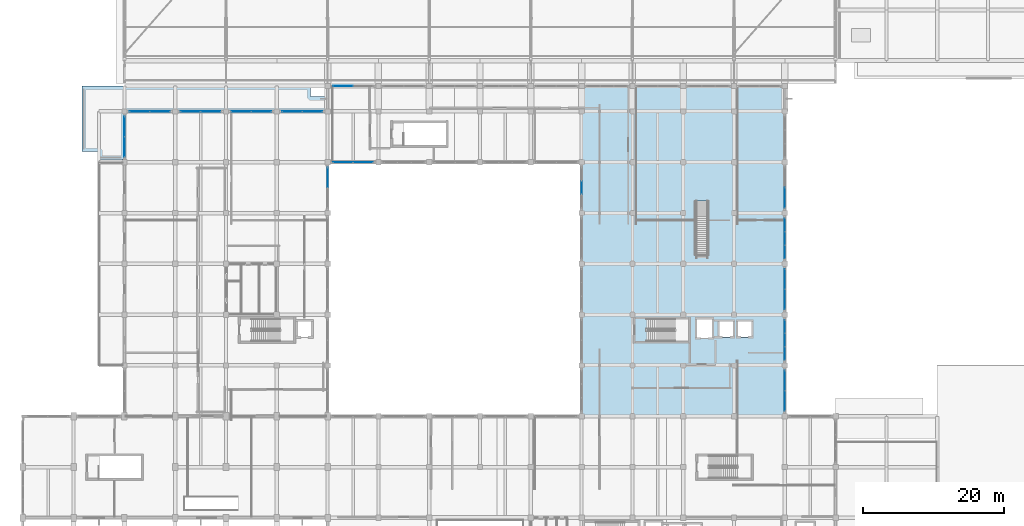
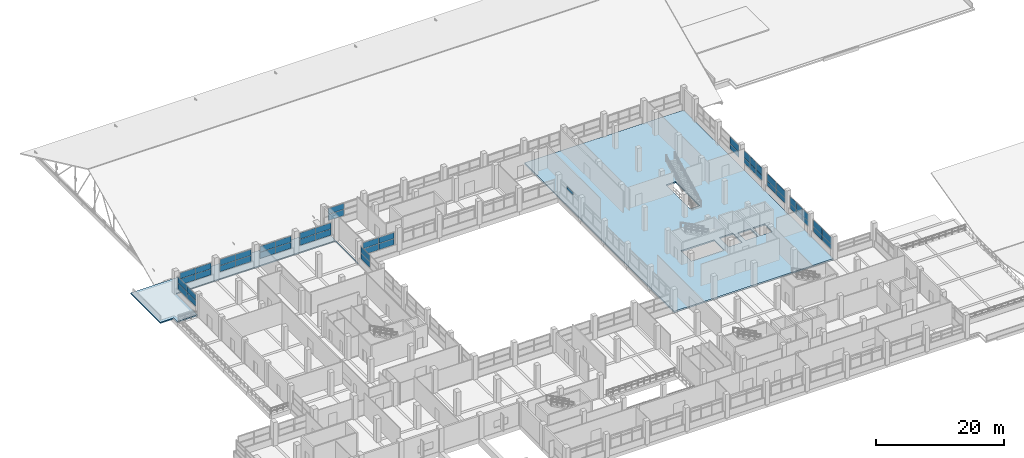
# One storey, part 115 of 141: 51 plates, 2 slabs, 14 elements without a shape of their own.
"""IFC4 building model written with IfcOpenShell, lengths in metres."""

from ifc_helpers import new_model, si_unit, direction, frame, origin, origin_2d, place, context, subcontext, project, spatial, polyline, rectangle, outline, extrude, material, layer, layer_set, type_object, element, aggregate, save


model = new_model("IFC4")

# Units and contexts
model_context = context("Model", 3, precision=1e-05, world=origin(), true_north=direction((0.0, 1.0)))
body_context = subcontext(model_context, "Body", "Model", "MODEL_VIEW")
ifc_project = project(units=[si_unit("LENGTHUNIT", "METRE"), si_unit("AREAUNIT", "SQUARE_METRE"), si_unit("VOLUMEUNIT", "CUBIC_METRE"), si_unit("PLANEANGLEUNIT", "RADIAN"), si_unit("MASSUNIT", "GRAM", prefix="KILO")], contexts=[model_context])

# Site, building, storey
site_placement = place(None, origin())
site = spatial("IfcSite", under=ifc_project, at=site_placement, CompositionType="ELEMENT")
building_placement = place(site_placement, origin())
building = spatial("IfcBuilding", under=site, at=building_placement, Name="Seraya Terrace Polytechnic", CompositionType="ELEMENT")
storey_placement = place(building_placement, frame((0.0, 0.0, 14.39990234375)))
storey = spatial("IfcBuildingStorey", under=building, at=storey_placement, Name="L03", CompositionType="ELEMENT", Elevation=14.39990234375)

# Curtain wall, plates
ifc_material_1 = material(Name="Anodised aluminium EN AW-6063 T6", Category="aluminium")
ifc_layer_1 = layer(ifc_material_1, 0.179931640625, Name="CW-07")
ifc_layer_set_1 = layer_set([ifc_layer_1], Name="Anodised aluminium EN AW-6063 T6")
curtain_wall_type_1 = type_object("IfcCurtainWallType", Name="CW-07", PredefinedType="NOTDEFINED", material=ifc_layer_set_1)
curtain_wall_1_placement = place(storey_placement, origin())
curtain_wall_1 = element("IfcCurtainWall", 1, at=curtain_wall_1_placement, inside=storey, type_object=curtain_wall_type_1, Name="Unitised curtain wall CW-07 (CW-L03-115)", PredefinedType="NOTDEFINED")
ifc_material_2 = material(Name="Laminated solar-control Low-E double glazing", Category="glass")
ifc_layer_2 = layer(ifc_material_2, 0.028076171875, Name="CWP-01")
ifc_layer_set_2 = layer_set([ifc_layer_2], Name="Laminated solar-control Low-E double glazing")
plate_type_1 = type_object("IfcPlateType", Name="CWP-01", PredefinedType="CURTAIN_PANEL", material=ifc_layer_set_2)
plate_1_placement = place(storey_placement, frame((23.7763671875, 72.0, 1.300048828125), z_axis=(0.0, 0.0, 1.0), x_axis=(1.0, 0.0, 0.0)))
plate_1 = element("IfcPlate", 2, at=plate_1_placement, type_object=plate_type_1, Name="CW-07 panel 1.1", PredefinedType="CURTAIN_PANEL", context=body_context, shape_type="SweptSolid", body=[
    extrude(rectangle(XDim=2.782470703125, YDim=0.028076171875, at=origin_2d()), origin(), (0.0, 0.0, 1.0), 1.1298828125),
])
plate_2_placement = place(storey_placement, frame((23.7763671875, 72.0, 2.490234375), z_axis=(0.0, 0.0, 1.0), x_axis=(1.0, 0.0, 0.0)))
plate_2 = element("IfcPlate", 3, at=plate_2_placement, type_object=plate_type_1, Name="CW-07 panel 1.2", PredefinedType="CURTAIN_PANEL", context=body_context, shape_type="SweptSolid", body=[
    extrude(rectangle(XDim=2.782470703125, YDim=0.028076171875, at=origin_2d()), origin(), (0.0, 0.0, 1.0), 1.1298828125),
])
plate_3_placement = place(storey_placement, frame((26.623779296875, 72.0, 1.300048828125), z_axis=(0.0, 0.0, 1.0), x_axis=(1.0, 0.0, 0.0)))
plate_3 = element("IfcPlate", 4, at=plate_3_placement, type_object=plate_type_1, Name="CW-07 panel 2.1", PredefinedType="CURTAIN_PANEL", context=body_context, shape_type="SweptSolid", body=[
    extrude(rectangle(XDim=2.782470703125, YDim=0.028076171875, at=origin_2d()), origin(), (0.0, 0.0, 1.0), 1.1298828125),
])
plate_4_placement = place(storey_placement, frame((26.623779296875, 72.0, 2.490234375), z_axis=(0.0, 0.0, 1.0), x_axis=(1.0, 0.0, 0.0)))
plate_4 = element("IfcPlate", 5, at=plate_4_placement, type_object=plate_type_1, Name="CW-07 panel 2.2", PredefinedType="CURTAIN_PANEL", context=body_context, shape_type="SweptSolid", body=[
    extrude(rectangle(XDim=2.782470703125, YDim=0.028076171875, at=origin_2d()), origin(), (0.0, 0.0, 1.0), 1.1298828125),
])
aggregate(curtain_wall_1, [plate_1, plate_2, plate_3, plate_4])

ifc_layer_3 = layer(ifc_material_1, 0.179931640625, Name="CW-10")
ifc_layer_set_3 = layer_set([ifc_layer_3], Name="Anodised aluminium EN AW-6063 T6")
curtain_wall_type_2 = type_object("IfcCurtainWallType", Name="CW-10", PredefinedType="NOTDEFINED", material=ifc_layer_set_3)
curtain_wall_2_placement = place(storey_placement, origin())
curtain_wall_2 = element("IfcCurtainWall", 6, at=curtain_wall_2_placement, inside=storey, type_object=curtain_wall_type_2, Name="Unitised curtain wall CW-10 (CW-L03-118)", PredefinedType="NOTDEFINED")
plate_5_placement = place(storey_placement, frame((45.376220703125, 75.60009765625, 1.300048828125), z_axis=(0.0, 0.0, 1.0), x_axis=(1.0, 0.0, 0.0)))
plate_5 = element("IfcPlate", 7, at=plate_5_placement, type_object=plate_type_1, Name="CW-10 panel 1.1", PredefinedType="CURTAIN_PANEL", context=body_context, shape_type="SweptSolid", body=[
    extrude(rectangle(XDim=2.782470703125, YDim=0.028076171875, at=origin_2d()), origin(), (0.0, 0.0, 1.0), 1.1298828125),
])
plate_6_placement = place(storey_placement, frame((45.376220703125, 75.60009765625, 2.490234375), z_axis=(0.0, 0.0, 1.0), x_axis=(1.0, 0.0, 0.0)))
plate_6 = element("IfcPlate", 8, at=plate_6_placement, type_object=plate_type_1, Name="CW-10 panel 1.2", PredefinedType="CURTAIN_PANEL", context=body_context, shape_type="SweptSolid", body=[
    extrude(rectangle(XDim=2.782470703125, YDim=0.028076171875, at=origin_2d()), origin(), (0.0, 0.0, 1.0), 1.1298828125),
])
aggregate(curtain_wall_2, [plate_5, plate_6])

ifc_layer_4 = layer(ifc_material_1, 0.179931640625, Name="CW-22")
ifc_layer_set_4 = layer_set([ifc_layer_4], Name="Anodised aluminium EN AW-6063 T6")
curtain_wall_type_3 = type_object("IfcCurtainWallType", Name="CW-22", PredefinedType="NOTDEFINED", material=ifc_layer_set_4)
curtain_wall_3_placement = place(storey_placement, origin())
curtain_wall_3 = element("IfcCurtainWall", 9, at=curtain_wall_3_placement, inside=storey, type_object=curtain_wall_type_3, Name="Unitised curtain wall CW-22 (CW-L03-130)", PredefinedType="NOTDEFINED")
plate_7_placement = place(storey_placement, frame((108.0, 48.2236328125, 1.30029296875), z_axis=(0.0, 0.0, 1.0), x_axis=(0.0, -1.0, 0.0)))
plate_7 = element("IfcPlate", 10, at=plate_7_placement, type_object=plate_type_1, Name="CW-22 panel 1.1", PredefinedType="CURTAIN_PANEL", context=body_context, shape_type="SweptSolid", body=[
    extrude(rectangle(XDim=2.782470703125, YDim=0.028076171875, at=origin_2d()), origin(), (0.0, 0.0, 1.0), 0.943115234375),
])
plate_8_placement = place(storey_placement, frame((108.0, 48.2236328125, 2.30322265625), z_axis=(0.0, 0.0, 1.0), x_axis=(0.0, -1.0, 0.0)))
plate_8 = element("IfcPlate", 11, at=plate_8_placement, type_object=plate_type_1, Name="CW-22 panel 1.2", PredefinedType="CURTAIN_PANEL", context=body_context, shape_type="SweptSolid", body=[
    extrude(rectangle(XDim=2.782470703125, YDim=0.028076171875, at=origin_2d()), origin(), (0.0, 0.0, 1.0), 1.3369140625),
])
plate_9_placement = place(storey_placement, frame((108.0, 45.376220703125, 1.30029296875), z_axis=(0.0, 0.0, 1.0), x_axis=(0.0, -1.0, 0.0)))
plate_9 = element("IfcPlate", 12, at=plate_9_placement, type_object=plate_type_1, Name="CW-22 panel 2.1", PredefinedType="CURTAIN_PANEL", context=body_context, shape_type="SweptSolid", body=[
    extrude(rectangle(XDim=2.782470703125, YDim=0.028076171875, at=origin_2d()), origin(), (0.0, 0.0, 1.0), 0.943115234375),
])
plate_10_placement = place(storey_placement, frame((108.0, 45.376220703125, 2.30322265625), z_axis=(0.0, 0.0, 1.0), x_axis=(0.0, -1.0, 0.0)))
plate_10 = element("IfcPlate", 13, at=plate_10_placement, type_object=plate_type_1, Name="CW-22 panel 2.2", PredefinedType="CURTAIN_PANEL", context=body_context, shape_type="SweptSolid", body=[
    extrude(rectangle(XDim=2.782470703125, YDim=0.028076171875, at=origin_2d()), origin(), (0.0, 0.0, 1.0), 1.3369140625),
])
aggregate(curtain_wall_3, [plate_7, plate_8, plate_9, plate_10])

ifc_layer_5 = layer(ifc_material_1, 0.179931640625, Name="CW-01")
ifc_layer_set_5 = layer_set([ifc_layer_5], Name="Anodised aluminium EN AW-6063 T6")
curtain_wall_type_4 = type_object("IfcCurtainWallType", Name="CW-01", PredefinedType="NOTDEFINED", material=ifc_layer_set_5)
curtain_wall_4_placement = place(storey_placement, origin())
curtain_wall_4 = element("IfcCurtainWall", 14, at=curtain_wall_4_placement, inside=storey, type_object=curtain_wall_type_4, Name="Unitised curtain wall CW-01 (CW-L03-145)", PredefinedType="NOTDEFINED")
plate_11_placement = place(storey_placement, frame((48.2236328125, 64.800048828125, 1.300048828125), z_axis=(0.0, 0.0, 1.0), x_axis=(-1.0, 0.0, 0.0)))
plate_11 = element("IfcPlate", 15, at=plate_11_placement, type_object=plate_type_1, Name="CW-01 panel 1.1", PredefinedType="CURTAIN_PANEL", context=body_context, shape_type="SweptSolid", body=[
    extrude(rectangle(XDim=2.782470703125, YDim=0.028076171875, at=origin_2d()), origin(), (0.0, 0.0, 1.0), 1.1298828125),
])
plate_12_placement = place(storey_placement, frame((48.2236328125, 64.800048828125, 2.490234375), z_axis=(0.0, 0.0, 1.0), x_axis=(-1.0, 0.0, 0.0)))
plate_12 = element("IfcPlate", 16, at=plate_12_placement, type_object=plate_type_1, Name="CW-01 panel 1.2", PredefinedType="CURTAIN_PANEL", context=body_context, shape_type="SweptSolid", body=[
    extrude(rectangle(XDim=2.782470703125, YDim=0.028076171875, at=origin_2d()), origin(), (0.0, 0.0, 1.0), 1.1298828125),
])
plate_13_placement = place(storey_placement, frame((45.376220703125, 64.800048828125, 1.300048828125), z_axis=(0.0, 0.0, 1.0), x_axis=(-1.0, 0.0, 0.0)))
plate_13 = element("IfcPlate", 17, at=plate_13_placement, type_object=plate_type_1, Name="CW-01 panel 2.1", PredefinedType="CURTAIN_PANEL", context=body_context, shape_type="SweptSolid", body=[
    extrude(rectangle(XDim=2.782470703125, YDim=0.028076171875, at=origin_2d()), origin(), (0.0, 0.0, 1.0), 1.1298828125),
])
plate_14_placement = place(storey_placement, frame((45.376220703125, 64.800048828125, 2.490234375), z_axis=(0.0, 0.0, 1.0), x_axis=(-1.0, 0.0, 0.0)))
plate_14 = element("IfcPlate", 18, at=plate_14_placement, type_object=plate_type_1, Name="CW-01 panel 2.2", PredefinedType="CURTAIN_PANEL", context=body_context, shape_type="SweptSolid", body=[
    extrude(rectangle(XDim=2.782470703125, YDim=0.028076171875, at=origin_2d()), origin(), (0.0, 0.0, 1.0), 1.1298828125),
])
aggregate(curtain_wall_4, [plate_11, plate_12, plate_13, plate_14])

ifc_layer_6 = layer(ifc_material_1, 0.179931640625, Name="CW-05")
ifc_layer_set_6 = layer_set([ifc_layer_6], Name="Anodised aluminium EN AW-6063 T6")
curtain_wall_type_5 = type_object("IfcCurtainWallType", Name="CW-05", PredefinedType="NOTDEFINED", material=ifc_layer_set_6)
curtain_wall_5_placement = place(storey_placement, origin())
curtain_wall_5 = element("IfcCurtainWall", 19, at=curtain_wall_5_placement, inside=storey, type_object=curtain_wall_type_5, Name="Unitised curtain wall CW-05 (CW-L03-113)", PredefinedType="NOTDEFINED")
ifc_layer_7 = layer(ifc_material_2, 0.031982421875, Name="CWP-02")
ifc_layer_set_7 = layer_set([ifc_layer_7], Name="Laminated solar-control Low-E double glazing")
plate_type_2 = type_object("IfcPlateType", Name="CWP-02", PredefinedType="CURTAIN_PANEL", material=ifc_layer_set_7)
plate_15_placement = place(storey_placement, frame((14.39990234375, 66.97509765625, 1.300048828125), z_axis=(0.0, 0.0, 1.0), x_axis=(0.0, 1.0, 0.0)))
plate_15 = element("IfcPlate", 20, at=plate_15_placement, type_object=plate_type_2, Name="CW-05 panel 1.1", PredefinedType="CURTAIN_PANEL", context=body_context, shape_type="SweptSolid", body=[
    extrude(rectangle(XDim=2.7900390625, YDim=0.031982421875, at=origin_2d()), origin(), (0.0, 0.0, 1.0), 1.1201171875),
])
plate_16_placement = place(storey_placement, frame((14.39990234375, 66.97509765625, 2.47998046875), z_axis=(0.0, 0.0, 1.0), x_axis=(0.0, 1.0, 0.0)))
plate_16 = element("IfcPlate", 21, at=plate_16_placement, type_object=plate_type_2, Name="CW-05 panel 1.2", PredefinedType="CURTAIN_PANEL", context=body_context, shape_type="SweptSolid", body=[
    extrude(rectangle(XDim=2.7900390625, YDim=0.031982421875, at=origin_2d()), origin(), (0.0, 0.0, 1.0), 1.1201171875),
])
plate_17_placement = place(storey_placement, frame((14.39990234375, 69.824951171875, 1.300048828125), z_axis=(0.0, 0.0, 1.0), x_axis=(0.0, 1.0, 0.0)))
plate_17 = element("IfcPlate", 22, at=plate_17_placement, type_object=plate_type_2, Name="CW-05 panel 2.1", PredefinedType="CURTAIN_PANEL", context=body_context, shape_type="SweptSolid", body=[
    extrude(rectangle(XDim=2.7900390625, YDim=0.031982421875, at=origin_2d()), origin(), (0.0, 0.0, 1.0), 1.1201171875),
])
plate_18_placement = place(storey_placement, frame((14.39990234375, 69.824951171875, 2.47998046875), z_axis=(0.0, 0.0, 1.0), x_axis=(0.0, 1.0, 0.0)))
plate_18 = element("IfcPlate", 23, at=plate_18_placement, type_object=plate_type_2, Name="CW-05 panel 2.2", PredefinedType="CURTAIN_PANEL", context=body_context, shape_type="SweptSolid", body=[
    extrude(rectangle(XDim=2.7900390625, YDim=0.031982421875, at=origin_2d()), origin(), (0.0, 0.0, 1.0), 1.1201171875),
])
aggregate(curtain_wall_5, [plate_15, plate_16, plate_17, plate_18])

ifc_layer_8 = layer(ifc_material_1, 0.179931640625, Name="CW-08")
ifc_layer_set_8 = layer_set([ifc_layer_8], Name="Anodised aluminium EN AW-6063 T6")
curtain_wall_type_6 = type_object("IfcCurtainWallType", Name="CW-08", PredefinedType="NOTDEFINED", material=ifc_layer_set_8)
curtain_wall_6_placement = place(storey_placement, origin())
curtain_wall_6 = element("IfcCurtainWall", 24, at=curtain_wall_6_placement, inside=storey, type_object=curtain_wall_type_6, Name="Unitised curtain wall CW-08 (CW-L03-116)", PredefinedType="NOTDEFINED")
plate_19_placement = place(storey_placement, frame((30.97509765625, 72.0, 1.300048828125), z_axis=(0.0, 0.0, 1.0), x_axis=(1.0, 0.0, 0.0)))
plate_19 = element("IfcPlate", 25, at=plate_19_placement, type_object=plate_type_2, Name="CW-08 panel 1.1", PredefinedType="CURTAIN_PANEL", context=body_context, shape_type="SweptSolid", body=[
    extrude(rectangle(XDim=2.7900390625, YDim=0.031982421875, at=origin_2d()), origin(), (0.0, 0.0, 1.0), 1.1298828125),
])
plate_20_placement = place(storey_placement, frame((30.97509765625, 72.0, 2.490234375), z_axis=(0.0, 0.0, 1.0), x_axis=(1.0, 0.0, 0.0)))
plate_20 = element("IfcPlate", 26, at=plate_20_placement, type_object=plate_type_2, Name="CW-08 panel 1.2", PredefinedType="CURTAIN_PANEL", context=body_context, shape_type="SweptSolid", body=[
    extrude(rectangle(XDim=2.7900390625, YDim=0.031982421875, at=origin_2d()), origin(), (0.0, 0.0, 1.0), 1.1298828125),
])
plate_21_placement = place(storey_placement, frame((33.824951171875, 72.0, 1.300048828125), z_axis=(0.0, 0.0, 1.0), x_axis=(1.0, 0.0, 0.0)))
plate_21 = element("IfcPlate", 27, at=plate_21_placement, type_object=plate_type_2, Name="CW-08 panel 2.1", PredefinedType="CURTAIN_PANEL", context=body_context, shape_type="SweptSolid", body=[
    extrude(rectangle(XDim=2.7900390625, YDim=0.031982421875, at=origin_2d()), origin(), (0.0, 0.0, 1.0), 1.1298828125),
])
plate_22_placement = place(storey_placement, frame((33.824951171875, 72.0, 2.490234375), z_axis=(0.0, 0.0, 1.0), x_axis=(1.0, 0.0, 0.0)))
plate_22 = element("IfcPlate", 28, at=plate_22_placement, type_object=plate_type_2, Name="CW-08 panel 2.2", PredefinedType="CURTAIN_PANEL", context=body_context, shape_type="SweptSolid", body=[
    extrude(rectangle(XDim=2.7900390625, YDim=0.031982421875, at=origin_2d()), origin(), (0.0, 0.0, 1.0), 1.1298828125),
])
aggregate(curtain_wall_6, [plate_19, plate_20, plate_21, plate_22])

ifc_layer_9 = layer(ifc_material_1, 0.179931640625, Name="CW-20")
ifc_layer_set_9 = layer_set([ifc_layer_9], Name="Anodised aluminium EN AW-6063 T6")
curtain_wall_type_7 = type_object("IfcCurtainWallType", Name="CW-20", PredefinedType="NOTDEFINED", material=ifc_layer_set_9)
curtain_wall_7_placement = place(storey_placement, origin())
curtain_wall_7 = element("IfcCurtainWall", 29, at=curtain_wall_7_placement, inside=storey, type_object=curtain_wall_type_7, Name="Unitised curtain wall CW-20 (CW-L03-128)", PredefinedType="NOTDEFINED")
plate_23_placement = place(storey_placement, frame((108.0, 59.77490234375, 1.2998046875), z_axis=(0.0, 0.0, 1.0), x_axis=(0.0, -1.0, 0.0)))
plate_23 = element("IfcPlate", 30, at=plate_23_placement, type_object=plate_type_2, Name="CW-20 panel 2.1", PredefinedType="CURTAIN_PANEL", context=body_context, shape_type="SweptSolid", body=[
    extrude(rectangle(XDim=2.7900390625, YDim=0.031982421875, at=origin_2d()), origin(), (0.0, 0.0, 1.0), 0.947509765625),
])
plate_24_placement = place(storey_placement, frame((108.0, 59.77490234375, 2.3076171875), z_axis=(0.0, 0.0, 1.0), x_axis=(0.0, -1.0, 0.0)))
plate_24 = element("IfcPlate", 31, at=plate_24_placement, type_object=plate_type_2, Name="CW-20 panel 2.2", PredefinedType="CURTAIN_PANEL", context=body_context, shape_type="SweptSolid", body=[
    extrude(rectangle(XDim=2.7900390625, YDim=0.031982421875, at=origin_2d()), origin(), (0.0, 0.0, 1.0), 1.342529296875),
])
aggregate(curtain_wall_7, [plate_23, plate_24])

ifc_layer_10 = layer(ifc_material_1, 0.179931640625, Name="CW-23")
ifc_layer_set_10 = layer_set([ifc_layer_10], Name="Anodised aluminium EN AW-6063 T6")
curtain_wall_type_8 = type_object("IfcCurtainWallType", Name="CW-23", PredefinedType="NOTDEFINED", material=ifc_layer_set_10)
curtain_wall_8_placement = place(storey_placement, origin())
curtain_wall_8 = element("IfcCurtainWall", 32, at=curtain_wall_8_placement, inside=storey, type_object=curtain_wall_type_8, Name="Unitised curtain wall CW-23 (CW-L03-131)", PredefinedType="NOTDEFINED")
plate_25_placement = place(storey_placement, frame((108.0, 41.5048828125, 1.2998046875), z_axis=(0.0, 0.0, 1.0), x_axis=(0.0, -1.0, 0.0)))
plate_25 = element("IfcPlate", 33, at=plate_25_placement, type_object=plate_type_2, Name="CW-23 panel 1.1", PredefinedType="CURTAIN_PANEL", context=body_context, shape_type="SweptSolid", body=[
    extrude(rectangle(XDim=1.830078125, YDim=0.031982421875, at=origin_2d()), origin(), (0.0, 0.0, 1.0), 0.926513671875),
])
plate_26_placement = place(storey_placement, frame((108.0, 41.5048828125, 2.28662109375), z_axis=(0.0, 0.0, 1.0), x_axis=(0.0, -1.0, 0.0)))
plate_26 = element("IfcPlate", 34, at=plate_26_placement, type_object=plate_type_2, Name="CW-23 panel 1.2", PredefinedType="CURTAIN_PANEL", context=body_context, shape_type="SweptSolid", body=[
    extrude(rectangle(XDim=1.830078125, YDim=0.031982421875, at=origin_2d()), origin(), (0.0, 0.0, 1.0), 1.313720703125),
])
plate_27_placement = place(storey_placement, frame((108.0, 39.60009765625, 1.2998046875), z_axis=(0.0, 0.0, 1.0), x_axis=(0.0, -1.0, 0.0)))
plate_27 = element("IfcPlate", 35, at=plate_27_placement, type_object=plate_type_2, Name="CW-23 panel 2.1", PredefinedType="CURTAIN_PANEL", context=body_context, shape_type="SweptSolid", body=[
    extrude(rectangle(XDim=1.860107421875, YDim=0.031982421875, at=origin_2d()), origin(), (0.0, 0.0, 1.0), 0.926513671875),
])
plate_28_placement = place(storey_placement, frame((108.0, 39.60009765625, 2.28662109375), z_axis=(0.0, 0.0, 1.0), x_axis=(0.0, -1.0, 0.0)))
plate_28 = element("IfcPlate", 36, at=plate_28_placement, type_object=plate_type_2, Name="CW-23 panel 2.2", PredefinedType="CURTAIN_PANEL", context=body_context, shape_type="SweptSolid", body=[
    extrude(rectangle(XDim=1.860107421875, YDim=0.031982421875, at=origin_2d()), origin(), (0.0, 0.0, 1.0), 1.313720703125),
])
plate_29_placement = place(storey_placement, frame((108.0, 37.695068359375, 1.2998046875), z_axis=(0.0, 0.0, 1.0), x_axis=(0.0, -1.0, 0.0)))
plate_29 = element("IfcPlate", 37, at=plate_29_placement, type_object=plate_type_2, Name="CW-23 panel 3.1", PredefinedType="CURTAIN_PANEL", context=body_context, shape_type="SweptSolid", body=[
    extrude(rectangle(XDim=1.830078125, YDim=0.031982421875, at=origin_2d()), origin(), (0.0, 0.0, 1.0), 0.926513671875),
])
plate_30_placement = place(storey_placement, frame((108.0, 37.695068359375, 2.28662109375), z_axis=(0.0, 0.0, 1.0), x_axis=(0.0, -1.0, 0.0)))
plate_30 = element("IfcPlate", 38, at=plate_30_placement, type_object=plate_type_2, Name="CW-23 panel 3.2", PredefinedType="CURTAIN_PANEL", context=body_context, shape_type="SweptSolid", body=[
    extrude(rectangle(XDim=1.830078125, YDim=0.031982421875, at=origin_2d()), origin(), (0.0, 0.0, 1.0), 1.313720703125),
])
aggregate(curtain_wall_8, [plate_25, plate_26, plate_27, plate_28, plate_29, plate_30])

# Curtain wall, plate
ifc_layer_11 = layer(ifc_material_1, 0.179931640625, Name="CW-32")
ifc_layer_set_11 = layer_set([ifc_layer_11], Name="Anodised aluminium EN AW-6063 T6")
curtain_wall_type_9 = type_object("IfcCurtainWallType", Name="CW-32", PredefinedType="NOTDEFINED", material=ifc_layer_set_11)
curtain_wall_9_placement = place(storey_placement, origin())
curtain_wall_9 = element("IfcCurtainWall", 39, at=curtain_wall_9_placement, inside=storey, type_object=curtain_wall_type_9, Name="Unitised curtain wall CW-32 (CW-L03-140)", PredefinedType="NOTDEFINED")
plate_31_placement = place(storey_placement, frame((79.199951171875, 61.199951171875, 3.1201171875), z_axis=(0.0, 0.0, 1.0), x_axis=(0.0, 1.0, 0.0)))
plate_31 = element("IfcPlate", 40, at=plate_31_placement, type_object=plate_type_2, Name="CW-32 panel 2.2", PredefinedType="CURTAIN_PANEL", context=body_context, shape_type="SweptSolid", body=[
    extrude(rectangle(XDim=1.860107421875, YDim=0.031982421875, at=origin_2d()), origin(), (0.0, 0.0, 1.0), 0.530029296875),
])
aggregate(curtain_wall_9, [plate_31])

# Curtain wall, plates
ifc_layer_12 = layer(ifc_material_1, 0.179931640625, Name="CW-02")
ifc_layer_set_12 = layer_set([ifc_layer_12], Name="Anodised aluminium EN AW-6063 T6")
curtain_wall_type_10 = type_object("IfcCurtainWallType", Name="CW-02", PredefinedType="NOTDEFINED", material=ifc_layer_set_12)
curtain_wall_10_placement = place(storey_placement, origin())
curtain_wall_10 = element("IfcCurtainWall", 41, at=curtain_wall_10_placement, inside=storey, type_object=curtain_wall_type_10, Name="Unitised curtain wall CW-02 (CW-L03-146)", PredefinedType="NOTDEFINED")
plate_32_placement = place(storey_placement, frame((43.199951171875, 62.625, 1.300048828125), z_axis=(0.0, 0.0, 1.0), x_axis=(0.0, -1.0, 0.0)))
plate_32 = element("IfcPlate", 42, at=plate_32_placement, type_object=plate_type_2, Name="CW-02 panel 1.1", PredefinedType="CURTAIN_PANEL", context=body_context, shape_type="SweptSolid", body=[
    extrude(rectangle(XDim=2.7900390625, YDim=0.031982421875, at=origin_2d()), origin(), (0.0, 0.0, 1.0), 1.14501953125),
])
plate_33_placement = place(storey_placement, frame((43.199951171875, 62.625, 2.505126953125), z_axis=(0.0, 0.0, 1.0), x_axis=(0.0, -1.0, 0.0)))
plate_33 = element("IfcPlate", 43, at=plate_33_placement, type_object=plate_type_2, Name="CW-02 panel 1.2", PredefinedType="CURTAIN_PANEL", context=body_context, shape_type="SweptSolid", body=[
    extrude(rectangle(XDim=2.7900390625, YDim=0.031982421875, at=origin_2d()), origin(), (0.0, 0.0, 1.0), 1.14501953125),
])
aggregate(curtain_wall_10, [plate_32, plate_33])

ifc_layer_13 = layer(ifc_material_1, 0.179931640625, Name="CW-06")
ifc_layer_set_13 = layer_set([ifc_layer_13], Name="Anodised aluminium EN AW-6063 T6")
curtain_wall_type_11 = type_object("IfcCurtainWallType", Name="CW-06", PredefinedType="NOTDEFINED", material=ifc_layer_set_13)
curtain_wall_11_placement = place(storey_placement, origin())
curtain_wall_11 = element("IfcCurtainWall", 44, at=curtain_wall_11_placement, inside=storey, type_object=curtain_wall_type_11, Name="Unitised curtain wall CW-06 (CW-L03-114)", PredefinedType="NOTDEFINED")
ifc_layer_14 = layer(ifc_material_2, 0.035888671875, Name="CWP-03")
ifc_layer_set_14 = layer_set([ifc_layer_14], Name="Laminated solar-control Low-E double glazing")
plate_type_3 = type_object("IfcPlateType", Name="CWP-03", PredefinedType="CURTAIN_PANEL", material=ifc_layer_set_14)
plate_34_placement = place(storey_placement, frame((16.574951171875, 72.0, 1.295166015625), z_axis=(0.0, 0.0, 1.0), x_axis=(1.0, 0.0, 0.0)))
plate_34 = element("IfcPlate", 45, at=plate_34_placement, type_object=plate_type_3, Name="CW-06 panel 1.1", PredefinedType="CURTAIN_PANEL", context=body_context, shape_type="SweptSolid", body=[
    extrude(rectangle(XDim=2.7900390625, YDim=0.035888671875, at=origin_2d()), origin(), (0.0, 0.0, 1.0), 1.107421875),
])
plate_35_placement = place(storey_placement, frame((16.574951171875, 72.0, 2.45751953125), z_axis=(0.0, 0.0, 1.0), x_axis=(1.0, 0.0, 0.0)))
plate_35 = element("IfcPlate", 46, at=plate_35_placement, type_object=plate_type_3, Name="CW-06 panel 1.2", PredefinedType="CURTAIN_PANEL", context=body_context, shape_type="SweptSolid", body=[
    extrude(rectangle(XDim=2.7900390625, YDim=0.035888671875, at=origin_2d()), origin(), (0.0, 0.0, 1.0), 1.107421875),
])
plate_36_placement = place(storey_placement, frame((19.425048828125, 72.0, 1.295166015625), z_axis=(0.0, 0.0, 1.0), x_axis=(1.0, 0.0, 0.0)))
plate_36 = element("IfcPlate", 47, at=plate_36_placement, type_object=plate_type_3, Name="CW-06 panel 2.1", PredefinedType="CURTAIN_PANEL", context=body_context, shape_type="SweptSolid", body=[
    extrude(rectangle(XDim=2.7900390625, YDim=0.035888671875, at=origin_2d()), origin(), (0.0, 0.0, 1.0), 1.107421875),
])
plate_37_placement = place(storey_placement, frame((19.425048828125, 72.0, 2.45751953125), z_axis=(0.0, 0.0, 1.0), x_axis=(1.0, 0.0, 0.0)))
plate_37 = element("IfcPlate", 48, at=plate_37_placement, type_object=plate_type_3, Name="CW-06 panel 2.2", PredefinedType="CURTAIN_PANEL", context=body_context, shape_type="SweptSolid", body=[
    extrude(rectangle(XDim=2.7900390625, YDim=0.035888671875, at=origin_2d()), origin(), (0.0, 0.0, 1.0), 1.107421875),
])
aggregate(curtain_wall_11, [plate_34, plate_35, plate_36, plate_37])

ifc_layer_15 = layer(ifc_material_1, 0.179931640625, Name="CW-09")
ifc_layer_set_15 = layer_set([ifc_layer_15], Name="Anodised aluminium EN AW-6063 T6")
curtain_wall_type_12 = type_object("IfcCurtainWallType", Name="CW-09", PredefinedType="NOTDEFINED", material=ifc_layer_set_15)
curtain_wall_12_placement = place(storey_placement, origin())
curtain_wall_12 = element("IfcCurtainWall", 49, at=curtain_wall_12_placement, inside=storey, type_object=curtain_wall_type_12, Name="Unitised curtain wall CW-09 (CW-L03-117)", PredefinedType="NOTDEFINED")
plate_38_placement = place(storey_placement, frame((38.175048828125, 72.0, 1.294921875), z_axis=(0.0, 0.0, 1.0), x_axis=(1.0, 0.0, 0.0)))
plate_38 = element("IfcPlate", 50, at=plate_38_placement, type_object=plate_type_3, Name="CW-09 panel 1.1", PredefinedType="CURTAIN_PANEL", context=body_context, shape_type="SweptSolid", body=[
    extrude(rectangle(XDim=2.7900390625, YDim=0.035888671875, at=origin_2d()), origin(), (0.0, 0.0, 1.0), 1.137451171875),
])
plate_39_placement = place(storey_placement, frame((38.175048828125, 72.0, 2.48779296875), z_axis=(0.0, 0.0, 1.0), x_axis=(1.0, 0.0, 0.0)))
plate_39 = element("IfcPlate", 51, at=plate_39_placement, type_object=plate_type_3, Name="CW-09 panel 1.2", PredefinedType="CURTAIN_PANEL", context=body_context, shape_type="SweptSolid", body=[
    extrude(rectangle(XDim=2.7900390625, YDim=0.035888671875, at=origin_2d()), origin(), (0.0, 0.0, 1.0), 1.137451171875),
])
plate_40_placement = place(storey_placement, frame((41.02490234375, 72.0, 1.294921875), z_axis=(0.0, 0.0, 1.0), x_axis=(1.0, 0.0, 0.0)))
plate_40 = element("IfcPlate", 52, at=plate_40_placement, type_object=plate_type_3, Name="CW-09 panel 2.1", PredefinedType="CURTAIN_PANEL", context=body_context, shape_type="SweptSolid", body=[
    extrude(rectangle(XDim=2.7900390625, YDim=0.035888671875, at=origin_2d()), origin(), (0.0, 0.0, 1.0), 1.137451171875),
])
plate_41_placement = place(storey_placement, frame((41.02490234375, 72.0, 2.48779296875), z_axis=(0.0, 0.0, 1.0), x_axis=(1.0, 0.0, 0.0)))
plate_41 = element("IfcPlate", 53, at=plate_41_placement, type_object=plate_type_3, Name="CW-09 panel 2.2", PredefinedType="CURTAIN_PANEL", context=body_context, shape_type="SweptSolid", body=[
    extrude(rectangle(XDim=2.7900390625, YDim=0.035888671875, at=origin_2d()), origin(), (0.0, 0.0, 1.0), 1.137451171875),
])
aggregate(curtain_wall_12, [plate_38, plate_39, plate_40, plate_41])

ifc_layer_16 = layer(ifc_material_1, 0.179931640625, Name="CW-21")
ifc_layer_set_16 = layer_set([ifc_layer_16], Name="Anodised aluminium EN AW-6063 T6")
curtain_wall_type_13 = type_object("IfcCurtainWallType", Name="CW-21", PredefinedType="NOTDEFINED", material=ifc_layer_set_16)
curtain_wall_13_placement = place(storey_placement, origin())
curtain_wall_13 = element("IfcCurtainWall", 54, at=curtain_wall_13_placement, inside=storey, type_object=curtain_wall_type_13, Name="Unitised curtain wall CW-21 (CW-L03-129)", PredefinedType="NOTDEFINED")
plate_42_placement = place(storey_placement, frame((108.0, 55.905029296875, 1.294921875), z_axis=(0.0, 0.0, 1.0), x_axis=(0.0, -1.0, 0.0)))
plate_42 = element("IfcPlate", 55, at=plate_42_placement, type_object=plate_type_3, Name="CW-21 panel 1.1", PredefinedType="CURTAIN_PANEL", context=body_context, shape_type="SweptSolid", body=[
    extrude(rectangle(XDim=1.830078125, YDim=0.035888671875, at=origin_2d()), origin(), (0.0, 0.0, 1.0), 0.954833984375),
])
plate_43_placement = place(storey_placement, frame((108.0, 55.905029296875, 2.304931640625), z_axis=(0.0, 0.0, 1.0), x_axis=(0.0, -1.0, 0.0)))
plate_43 = element("IfcPlate", 56, at=plate_43_placement, type_object=plate_type_3, Name="CW-21 panel 1.2", PredefinedType="CURTAIN_PANEL", context=body_context, shape_type="SweptSolid", body=[
    extrude(rectangle(XDim=1.830078125, YDim=0.035888671875, at=origin_2d()), origin(), (0.0, 0.0, 1.0), 1.35009765625),
])
plate_44_placement = place(storey_placement, frame((108.0, 54.0, 1.294921875), z_axis=(0.0, 0.0, 1.0), x_axis=(0.0, -1.0, 0.0)))
plate_44 = element("IfcPlate", 57, at=plate_44_placement, type_object=plate_type_3, Name="CW-21 panel 2.1", PredefinedType="CURTAIN_PANEL", context=body_context, shape_type="SweptSolid", body=[
    extrude(rectangle(XDim=1.860107421875, YDim=0.035888671875, at=origin_2d()), origin(), (0.0, 0.0, 1.0), 0.954833984375),
])
plate_45_placement = place(storey_placement, frame((108.0, 54.0, 2.304931640625), z_axis=(0.0, 0.0, 1.0), x_axis=(0.0, -1.0, 0.0)))
plate_45 = element("IfcPlate", 58, at=plate_45_placement, type_object=plate_type_3, Name="CW-21 panel 2.2", PredefinedType="CURTAIN_PANEL", context=body_context, shape_type="SweptSolid", body=[
    extrude(rectangle(XDim=1.860107421875, YDim=0.035888671875, at=origin_2d()), origin(), (0.0, 0.0, 1.0), 1.35009765625),
])
plate_46_placement = place(storey_placement, frame((108.0, 52.094970703125, 1.294921875), z_axis=(0.0, 0.0, 1.0), x_axis=(0.0, -1.0, 0.0)))
plate_46 = element("IfcPlate", 59, at=plate_46_placement, type_object=plate_type_3, Name="CW-21 panel 3.1", PredefinedType="CURTAIN_PANEL", context=body_context, shape_type="SweptSolid", body=[
    extrude(rectangle(XDim=1.830078125, YDim=0.035888671875, at=origin_2d()), origin(), (0.0, 0.0, 1.0), 0.954833984375),
])
plate_47_placement = place(storey_placement, frame((108.0, 52.094970703125, 2.304931640625), z_axis=(0.0, 0.0, 1.0), x_axis=(0.0, -1.0, 0.0)))
plate_47 = element("IfcPlate", 60, at=plate_47_placement, type_object=plate_type_3, Name="CW-21 panel 3.2", PredefinedType="CURTAIN_PANEL", context=body_context, shape_type="SweptSolid", body=[
    extrude(rectangle(XDim=1.830078125, YDim=0.035888671875, at=origin_2d()), origin(), (0.0, 0.0, 1.0), 1.35009765625),
])
aggregate(curtain_wall_13, [plate_42, plate_43, plate_44, plate_45, plate_46, plate_47])

ifc_layer_17 = layer(ifc_material_1, 0.179931640625, Name="CW-24")
ifc_layer_set_17 = layer_set([ifc_layer_17], Name="Anodised aluminium EN AW-6063 T6")
curtain_wall_type_14 = type_object("IfcCurtainWallType", Name="CW-24", PredefinedType="NOTDEFINED", material=ifc_layer_set_17)
curtain_wall_14_placement = place(storey_placement, origin())
curtain_wall_14 = element("IfcCurtainWall", 61, at=curtain_wall_14_placement, inside=storey, type_object=curtain_wall_type_14, Name="Unitised curtain wall CW-24 (CW-L03-132)", PredefinedType="NOTDEFINED")
plate_48_placement = place(storey_placement, frame((108.0, 33.824951171875, 1.295166015625), z_axis=(0.0, 0.0, 1.0), x_axis=(0.0, -1.0, 0.0)))
plate_48 = element("IfcPlate", 62, at=plate_48_placement, type_object=plate_type_3, Name="CW-24 panel 1.1", PredefinedType="CURTAIN_PANEL", context=body_context, shape_type="SweptSolid", body=[
    extrude(rectangle(XDim=2.7900390625, YDim=0.035888671875, at=origin_2d()), origin(), (0.0, 0.0, 1.0), 0.9169921875),
])
plate_49_placement = place(storey_placement, frame((108.0, 33.824951171875, 2.267333984375), z_axis=(0.0, 0.0, 1.0), x_axis=(0.0, -1.0, 0.0)))
plate_49 = element("IfcPlate", 63, at=plate_49_placement, type_object=plate_type_3, Name="CW-24 panel 1.2", PredefinedType="CURTAIN_PANEL", context=body_context, shape_type="SweptSolid", body=[
    extrude(rectangle(XDim=2.7900390625, YDim=0.035888671875, at=origin_2d()), origin(), (0.0, 0.0, 1.0), 1.2978515625),
])
plate_50_placement = place(storey_placement, frame((108.0, 30.97509765625, 1.295166015625), z_axis=(0.0, 0.0, 1.0), x_axis=(0.0, -1.0, 0.0)))
plate_50 = element("IfcPlate", 64, at=plate_50_placement, type_object=plate_type_3, Name="CW-24 panel 2.1", PredefinedType="CURTAIN_PANEL", context=body_context, shape_type="SweptSolid", body=[
    extrude(rectangle(XDim=2.7900390625, YDim=0.035888671875, at=origin_2d()), origin(), (0.0, 0.0, 1.0), 0.9169921875),
])
plate_51_placement = place(storey_placement, frame((108.0, 30.97509765625, 2.267333984375), z_axis=(0.0, 0.0, 1.0), x_axis=(0.0, -1.0, 0.0)))
plate_51 = element("IfcPlate", 65, at=plate_51_placement, type_object=plate_type_3, Name="CW-24 panel 2.2", PredefinedType="CURTAIN_PANEL", context=body_context, shape_type="SweptSolid", body=[
    extrude(rectangle(XDim=2.7900390625, YDim=0.035888671875, at=origin_2d()), origin(), (0.0, 0.0, 1.0), 1.2978515625),
])
aggregate(curtain_wall_14, [plate_48, plate_49, plate_50, plate_51])

# Slabs
ifc_material_3 = material(Name="Concrete C40/50", Category="concrete")
ifc_layer_18 = layer(ifc_material_3, 0.260009765625, Name="FS-08")
ifc_layer_set_18 = layer_set([ifc_layer_18], Name="Concrete C40/50")
slab_type_1 = type_object("IfcSlabType", Name="FS-08", PredefinedType="FLOOR", material=ifc_layer_set_18)
slab_1_placement = place(storey_placement, frame((0.0, 0.0, -0.260009765625)))
element("IfcSlab", 66, at=slab_1_placement, inside=storey, type_object=slab_type_1, Name="Floor slab SLB-V2-SPINE-L03-S1 (FS-08)", PredefinedType="FLOOR", context=body_context, shape_type="SweptSolid", body=[
    extrude(outline(polyline([(79.260009765625, 75.5400390625), (107.93994140625, 75.5400390625), (107.93994140625, 28.860107421875), (79.260009765625, 28.860107421875), (79.260009765625, 75.5400390625)]), holes=[polyline([(88.43994140625, 42.60009765625), (88.43994140625, 39.39990234375), (94.39990234375, 39.39990234375), (94.39990234375, 42.60009765625), (88.43994140625, 42.60009765625)]), polyline([(98.60009765625, 42.39990234375), (98.60009765625, 40.0), (100.800048828125, 40.0), (100.800048828125, 42.39990234375), (98.60009765625, 42.39990234375)]), polyline([(101.199951171875, 42.39990234375), (101.199951171875, 40.0), (103.39990234375, 40.0), (103.39990234375, 42.39990234375), (101.199951171875, 42.39990234375)]), polyline([(97.800048828125, 42.699951171875), (95.39990234375, 42.699951171875), (95.39990234375, 39.800048828125), (97.800048828125, 39.800048828125), (97.800048828125, 42.699951171875)]), polyline([(97.1298828125, 59.280029296875), (95.35009765625, 59.280029296875), (95.35009765625, 51.760009765625), (97.1298828125, 51.760009765625), (97.1298828125, 59.280029296875)])]), origin(), (0.0, 0.0, 1.0), 0.260009765625),
])
ifc_material_4 = material(Name="Precast concrete C40/50", Category="concrete")
ifc_layer_19 = layer(ifc_material_4, 0.22998046875, Name="RS-03")
ifc_layer_set_19 = layer_set([ifc_layer_19], Name="Precast concrete C40/50")
slab_type_2 = type_object("IfcSlabType", Name="RS-03", PredefinedType="ROOF", material=ifc_layer_set_19)
slab_2_placement = place(storey_placement, frame((0.0, 0.0, -0.22998046875)))
element("IfcSlab", 67, at=slab_2_placement, inside=storey, type_object=slab_type_2, Name="Sculpted overhanging precast roof plate ROOF-L03-WEST", PredefinedType="ROOF", context=body_context, shape_type="SweptSolid", body=[
    extrude(outline(polyline([(10.800048828125, 66.31201171875), (8.39990234375, 66.31201171875), (8.39990234375, 75.60009765625), (40.800048828125, 75.60009765625), (40.800048828125, 74.087890625), (43.199951171875, 74.087890625), (43.199951171875, 64.800048828125), (43.14501953125, 64.800048828125), (43.139892578125, 71.945068359375), (14.458984375, 71.94482421875), (14.455078125, 65.2158203125), (10.800048828125, 65.219970703125), (10.800048828125, 66.31201171875)])), origin(), (0.0, 0.0, 1.0), 0.22998046875),
])

save(model, "model.ifc")
